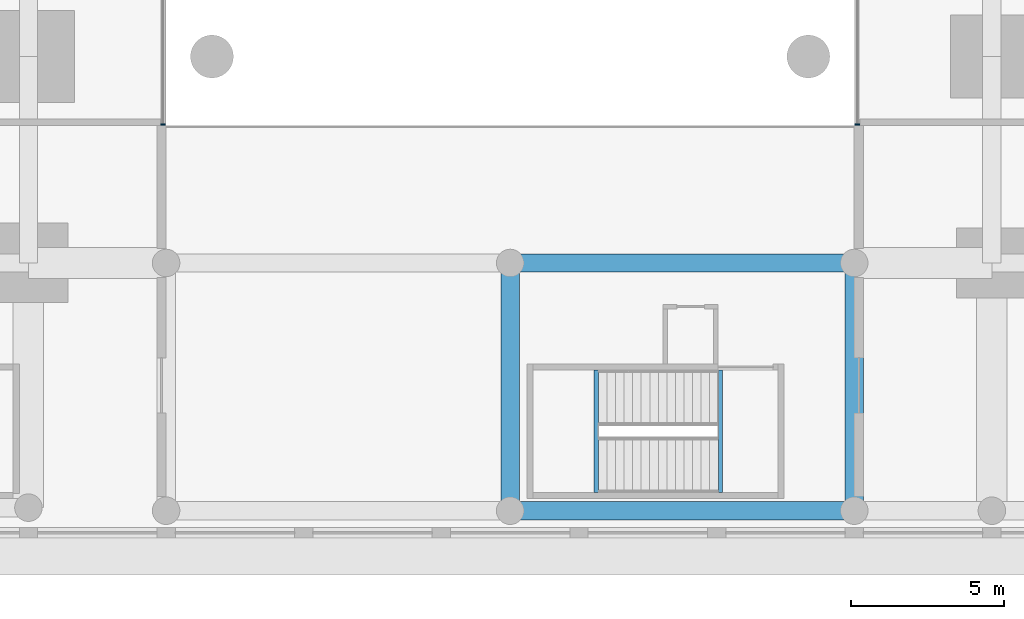
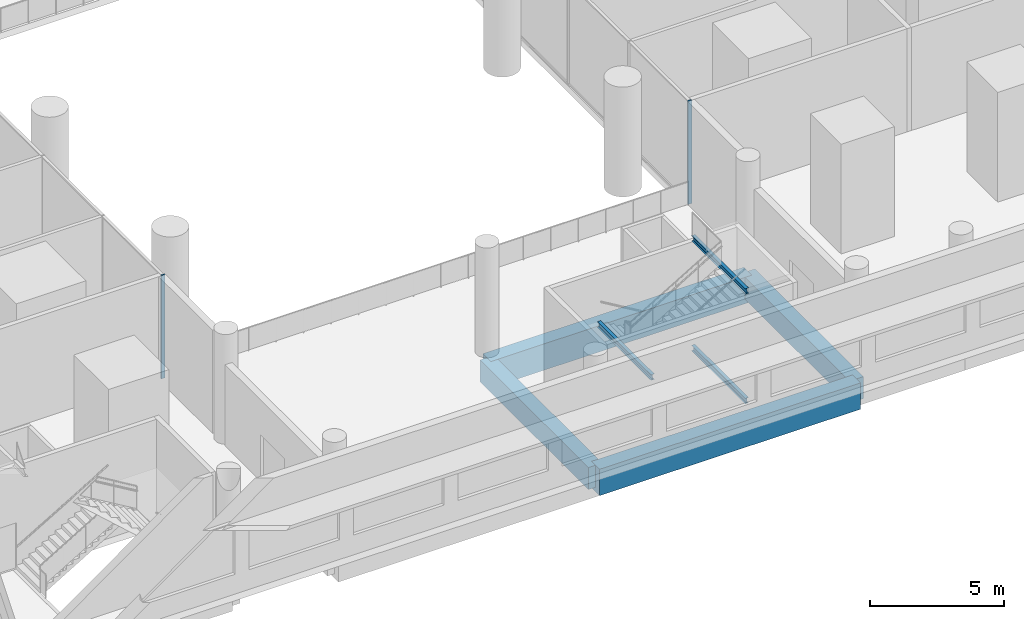
# One storey, part 2 of 22: 7 beams, 2 members, 2 elements without a shape of their own.
"""IFC4 building model written with IfcOpenShell, lengths in metres."""

from ifc_helpers import new_model, si_unit, direction, frame, origin, origin_2d, place, context, subcontext, project, spatial, rectangle, i_section, extrude, material, layer, layer_set, material_profile, profile_set, type_object, element, aggregate, save


model = new_model("IFC4")

# Units and contexts
model_context = context("Model", 3, precision=1e-05, world=origin(), true_north=direction((0.0, 1.0)))
body_context = subcontext(model_context, "Body", "Model", "MODEL_VIEW")
ifc_project = project(units=[si_unit("LENGTHUNIT", "METRE"), si_unit("AREAUNIT", "SQUARE_METRE"), si_unit("VOLUMEUNIT", "CUBIC_METRE"), si_unit("PLANEANGLEUNIT", "RADIAN"), si_unit("MASSUNIT", "GRAM", prefix="KILO")], contexts=[model_context])

# Site, building, storey
site_placement = place(None, origin())
site = spatial("IfcSite", under=ifc_project, at=site_placement, CompositionType="ELEMENT")
building_placement = place(site_placement, origin())
building = spatial("IfcBuilding", under=site, at=building_placement, Name="Namib Vertical Campus", CompositionType="ELEMENT")
storey_placement = place(building_placement, frame((0.0, 0.0, 11.0)))
storey = spatial("IfcBuildingStorey", under=building, at=storey_placement, Name="L02", CompositionType="ELEMENT", Elevation=11.0)

# Curtain wall, member
ifc_material_1 = material(Name="Black aluminium curtain wall", Category="aluminium")
ifc_layer = layer(ifc_material_1, 0.199951171875)
ifc_layer_set = layer_set([ifc_layer], Name="Atrium screen curtain wall CW-AT")
curtain_wall_type = type_object("IfcCurtainWallType", Name="Atrium screen curtain wall CW-AT", PredefinedType="USERDEFINED", material=ifc_layer_set)
curtain_wall_1_placement = place(storey_placement, origin())
curtain_wall_1 = element("IfcCurtainWall", 1, at=curtain_wall_1_placement, inside=storey, type_object=curtain_wall_type, Name="Curtain wall CW-AT atrium A L02 1", ObjectType="CURTAIN WALL", PredefinedType="USERDEFINED")
ifc_material_2 = material(Name="Black anodised aluminium", Category="aluminium")
ifc_material_profile_1 = material_profile(ifc_material_2, rectangle(XDim=0.06005859375, YDim=0.159912109375, at=origin_2d()))
ifc_profile_set_1 = profile_set([ifc_material_profile_1], Name="Black anodised aluminium")
member_type = type_object("IfcMemberType", Name="Curtain wall mullion 60x160", PredefinedType="MULLION", material=ifc_profile_set_1)
member_1_placement = place(storey_placement, frame((40.39990234375, 9.030029296875, 0.0), z_axis=(0.0, 0.0, 1.0), x_axis=(0.0, 1.0, 0.0)))
member_1 = element("IfcMember", 2, at=member_1_placement, type_object=member_type, Name="CW-AT mullion 1", PredefinedType="MULLION", context=body_context, shape_type="SweptSolid", body=[
    extrude(rectangle(XDim=0.06005859375, YDim=0.159912109375, at=origin_2d()), origin(), (0.0, 0.0, 1.0), 4.699951171875),
])
aggregate(curtain_wall_1, [member_1])

curtain_wall_2_placement = place(storey_placement, origin())
curtain_wall_2 = element("IfcCurtainWall", 3, at=curtain_wall_2_placement, inside=storey, type_object=curtain_wall_type, Name="Curtain wall CW-AT atrium B L02 1", ObjectType="CURTAIN WALL", PredefinedType="USERDEFINED")
member_2_placement = place(storey_placement, frame((63.10009765625, 9.030029296875, 0.0), z_axis=(0.0, 0.0, 1.0), x_axis=(0.0, 1.0, 0.0)))
member_2 = element("IfcMember", 4, at=member_2_placement, type_object=member_type, Name="CW-AT mullion 1", PredefinedType="MULLION", context=body_context, shape_type="SweptSolid", body=[
    extrude(rectangle(XDim=0.06005859375, YDim=0.159912109375, at=origin_2d()), origin(), (0.0, 0.0, 1.0), 4.699951171875),
])
aggregate(curtain_wall_2, [member_2])

# Beams
ifc_material_3 = material(Name="Steel S355JR", Category="steel")
ifc_material_profile_2 = material_profile(ifc_material_3, i_section(OverallWidth=0.14599609375, OverallDepth=0.25146484375, WebThickness=0.006103515625, FlangeThickness=0.008544921875, FilletRadius=0.007568359375, at=origin_2d()))
ifc_profile_set_2 = profile_set([ifc_material_profile_2], Name="Steel S355JR")
beam_type_1 = type_object("IfcBeamType", Name="Landing trimmer UB 254x146x31", PredefinedType="BEAM", material=ifc_profile_set_2)
for number, where, z_axis, x_axis, name in (
    (5, (58.626953125, -3.0, -0.125732421875), (0.0, 1.0, 0.0), (-1.0, 0.0, 0.0), "Landing trimmer LT1 P-S4 L02 1"),
    (6, (54.560791015625, -3.0, 2.374267578125), (0.0, 1.0, 0.0), (-1.0, 0.0, 0.0), "Landing trimmer LT1 P-S4 L02 2"),
    (7, (58.626953125, -3.0, 4.874267578125), (0.0, 1.0, 0.0), (-1.0, 0.0, 0.0), "Landing trimmer LT1 P-S4 L02 3"),
):
    element("IfcBeam", number, at=place(storey_placement, frame(where, z_axis=z_axis, x_axis=x_axis)), inside=storey, type_object=beam_type_1, Name=name, PredefinedType="BEAM", context=body_context, shape_type="SweptSolid", body=[
        extrude(i_section(OverallWidth=0.14599609375, OverallDepth=0.25146484375, WebThickness=0.006103515625, FlangeThickness=0.008544921875, FilletRadius=0.007568359375, at=origin_2d()), origin(), (0.0, 0.0, 1.0), 4.0),
    ])
ifc_material_4 = material(Name="Concrete C40/50", Category="concrete")
ifc_material_profile_3 = material_profile(ifc_material_4, rectangle(XDim=0.60009765625, YDim=1.199951171875, at=origin_2d()))
ifc_profile_set_3 = profile_set([ifc_material_profile_3], Name="Concrete C40/50")
beam_type_2 = type_object("IfcBeamType", Name="Long-span podium beam RC 600x1200", PredefinedType="BEAM", material=ifc_profile_set_3)
for number, where, z_axis, x_axis, name in (
    (8, (51.75, -3.60009765625, -0.89990234375), (1.0, 0.0, 0.0), (0.0, 1.0, 0.0), "Beam PB4 L02"),
    (9, (51.75, 4.5, -0.89990234375), (1.0, 0.0, 0.0), (0.0, 1.0, 0.0), "Beam PB4 L02"),
):
    element("IfcBeam", number, at=place(storey_placement, frame(where, z_axis=z_axis, x_axis=x_axis)), inside=storey, type_object=beam_type_2, Name=name, PredefinedType="BEAM", context=body_context, shape_type="SweptSolid", body=[
        extrude(rectangle(XDim=0.60009765625, YDim=1.199951171875, at=origin_2d()), origin(), (0.0, 0.0, 1.0), 11.25),
    ])
ifc_material_5 = material(Name="Concrete C40/50", Category="concrete")
ifc_material_profile_4 = material_profile(ifc_material_5, rectangle(XDim=0.60009765625, YDim=1.0, at=origin_2d()))
ifc_profile_set_4 = profile_set([ifc_material_profile_4], Name="Concrete C40/50")
beam_type_3 = type_object("IfcBeamType", Name="Podium beam RC 600x1000", PredefinedType="BEAM", material=ifc_profile_set_4)
for number, where, z_axis, x_axis, name in (
    (10, (51.75, -3.60009765625, -0.800048828125), (0.0, 1.0, 0.0), (-1.0, 0.0, 0.0), "Beam PB1 L02"),
    (11, (63.0, -3.60009765625, -0.800048828125), (0.0, 1.0, 0.0), (-1.0, 0.0, 0.0), "Beam PB1 L02"),
):
    element("IfcBeam", number, at=place(storey_placement, frame(where, z_axis=z_axis, x_axis=x_axis)), inside=storey, type_object=beam_type_3, Name=name, PredefinedType="BEAM", context=body_context, shape_type="SweptSolid", body=[
        extrude(rectangle(XDim=0.60009765625, YDim=1.0, at=origin_2d()), origin(), (0.0, 0.0, 1.0), 8.10009765625),
    ])

save(model, "model.ifc")
